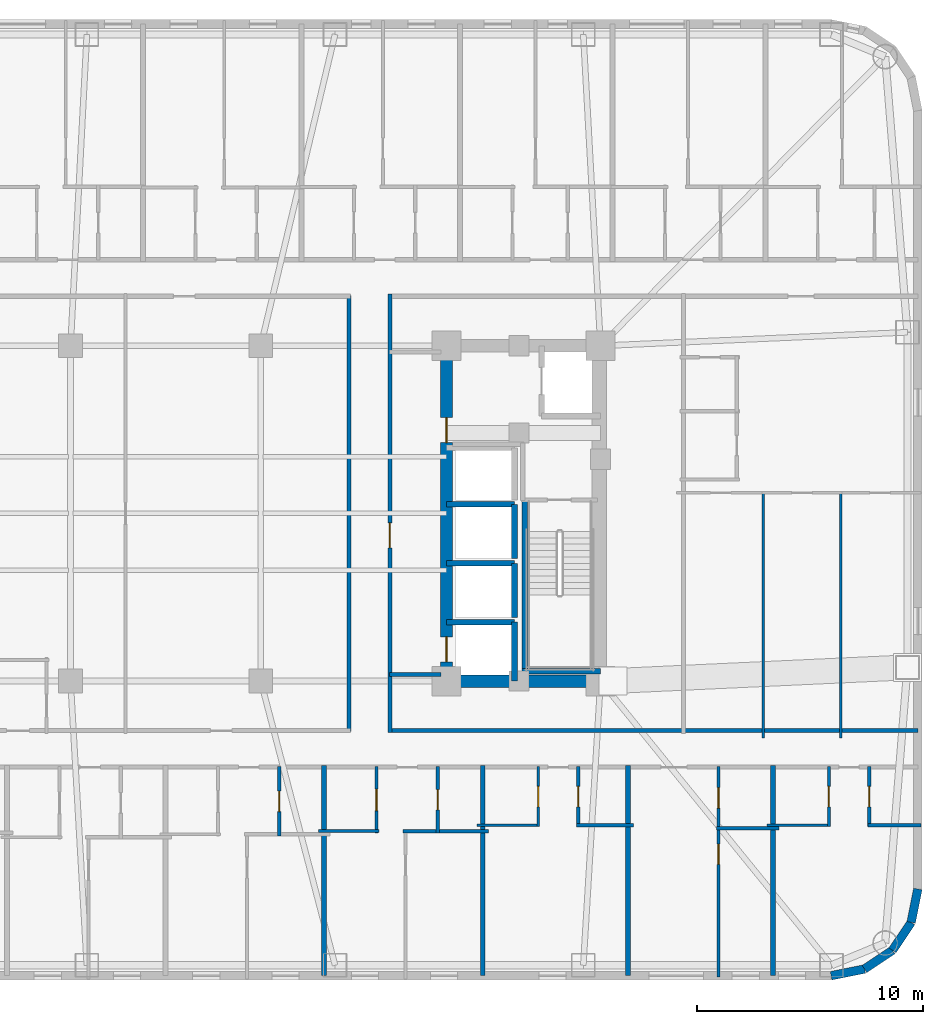
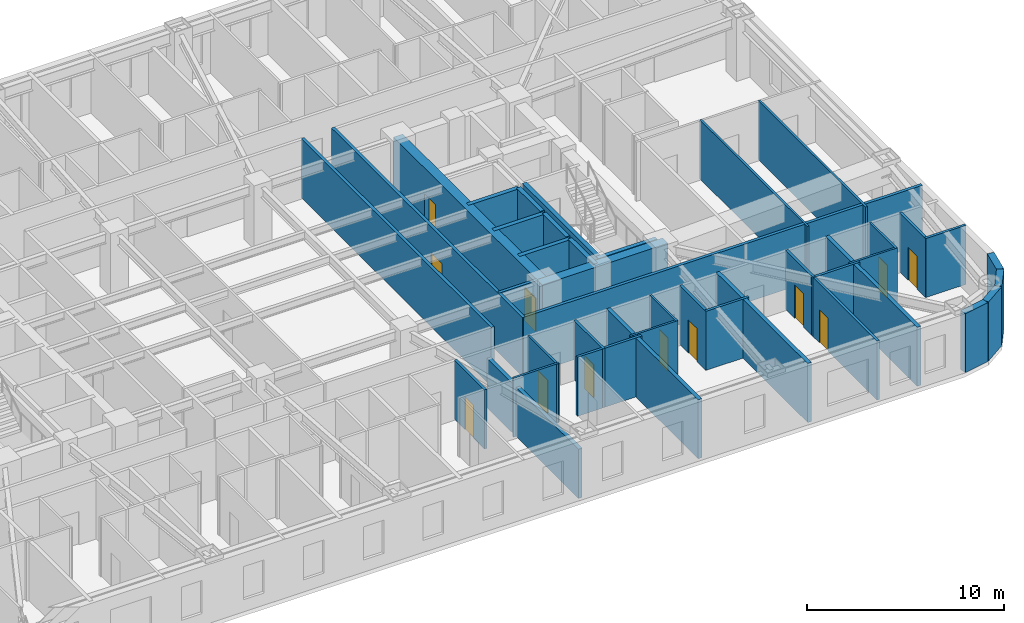
# One storey, part 7 of 13: 40 walls, 12 doors, 12 openings.
"""IFC4 building model written with IfcOpenShell, lengths in metres."""

from ifc_helpers import new_model, si_unit, direction, frame, frame_2d, origin, place, context, subcontext, project, spatial, rectangle, extrude, material, layer, layer_set, type_object, element, fill, save


model = new_model("IFC4")

# Units and contexts
model_context = context("Model", 3, precision=1e-05, world=origin(), true_north=direction((0.0, 1.0)))
body_context = subcontext(model_context, "Body", "Model", "MODEL_VIEW")
ifc_project = project(units=[si_unit("LENGTHUNIT", "METRE"), si_unit("AREAUNIT", "SQUARE_METRE"), si_unit("VOLUMEUNIT", "CUBIC_METRE"), si_unit("PLANEANGLEUNIT", "RADIAN"), si_unit("MASSUNIT", "GRAM", prefix="KILO")], contexts=[model_context])

# Site, building, storey
site_placement = place(None, origin())
site = spatial("IfcSite", under=ifc_project, at=site_placement, CompositionType="ELEMENT")
building_placement = place(site_placement, origin())
building = spatial("IfcBuilding", under=site, at=building_placement, Name="Voryun Gate Residences", CompositionType="ELEMENT")
storey_placement = place(building_placement, frame((0.0, 0.0, 120.89990234375)))
storey = spatial("IfcBuildingStorey", under=building, at=storey_placement, Name="L29", CompositionType="ELEMENT", Elevation=120.89990234375)

# Wall
ifc_material_1 = material(Name="Concrete C60/75", Category="concrete")
ifc_layer_1 = layer(ifc_material_1, 0.550048828125, Name="CW_CORE_550")
ifc_layer_set_1 = layer_set([ifc_layer_1], Name="Concrete C60/75")
wall_type_1 = type_object("IfcWallType", Name="CW_CORE_550", PredefinedType="SHEAR", material=ifc_layer_set_1)
wall_1_placement = place(storey_placement, frame((12.125, -7.39990234375, 0.0), z_axis=(0.0, 0.0, 1.0), x_axis=(1.0, 0.0, 0.0)))
element("IfcWall", 1, at=wall_1_placement, inside=storey, type_object=wall_type_1, Name="L29 Core shear wall CW-L29-ES", PredefinedType="SHEAR", context=body_context, shape_type="SweptSolid", body=[
    extrude(rectangle(XDim=7.35009765625, YDim=0.550048828125, at=frame_2d((3.675048828125, 0.0))), origin(), (0.0, 0.0, 1.0), 3.650146484375),
])

# Wall, openings, doors
wall_2_placement = place(storey_placement, frame((12.39990234375, -7.39990234375, 0.0), z_axis=(0.0, 0.0, 1.0), x_axis=(0.0, 1.0, 0.0)))
wall_2 = element("IfcWall", 2, at=wall_2_placement, inside=storey, type_object=wall_type_1, Name="L29 Core shear wall CW-L29-EW", PredefinedType="SHEAR", context=body_context, shape_type="SweptSolid", body=[
    extrude(rectangle(XDim=14.7998046875, YDim=0.550048828125, at=frame_2d((7.39990234375, 0.0))), origin(), (0.0, 0.0, 1.0), 3.650146484375),
])
opening_1_placement = place(wall_2_placement, frame((0.85009765625, 0.0, 0.0)))
opening_1 = element("IfcOpeningElement", 3, at=opening_1_placement, cuts=wall_2, Name="Opening LD2", PredefinedType="OPENING", context=body_context, shape_type="SweptSolid", body=[
    extrude(rectangle(XDim=1.10009765625, YDim=2.050048828125, at=frame_2d((0.550048828125, 1.02490234375))), frame((0.0, 0.284912109375, 0.0), z_axis=(0.0, -1.0, 0.0), x_axis=(1.0, 0.0, 0.0)), (0.0, 0.0, 1.0), 0.570068359375),
])
opening_2_placement = place(wall_2_placement, frame((10.530029296875, 0.0, 0.0)))
opening_2 = element("IfcOpeningElement", 4, at=opening_2_placement, cuts=wall_2, Name="Opening D-FD60-2", PredefinedType="OPENING", context=body_context, shape_type="SweptSolid", body=[
    extrude(rectangle(XDim=1.10009765625, YDim=2.050048828125, at=frame_2d((0.550048828125, 1.02490234375))), frame((0.0, 0.284912109375, 0.0), z_axis=(0.0, -1.0, 0.0), x_axis=(1.0, 0.0, 0.0)), (0.0, 0.0, 1.0), 0.570068359375),
])
ifc_material_2 = material(Name="Painted steel fire door", Category="steel")
door_type_1 = type_object("IfcDoorType", Name="DR_FD60_FFLOB_1100", OperationType="NOTDEFINED", PredefinedType="DOOR", material=ifc_material_2)
door_1_placement = place(opening_2_placement, origin())
door_1 = element("IfcDoor", 5, at=door_1_placement, inside=storey, type_object=door_type_1, Name="Door DR-L29-CLOB-E", OperationType="SINGLE_SWING_RIGHT", OverallHeight=2.050048828125, OverallWidth=1.10009765625, PredefinedType="DOOR", context=body_context, shape_type="SweptSolid", body=[
    extrude(rectangle(XDim=1.10009765625, YDim=2.050048828125, at=frame_2d((0.550048828125, 1.02490234375))), frame((0.0, 0.02490234375, 0.0), z_axis=(0.0, -1.0, 0.0), x_axis=(1.0, 0.0, 0.0)), (0.0, 0.0, 1.0), 0.050048828125),
])
fill(opening_2, door_1)
ifc_material_3 = material(Name="Anodised aluminium", Category="aluminium")
door_type_2 = type_object("IfcDoorType", Name="DR_LD_PASS_1100", OperationType="NOTDEFINED", PredefinedType="DOOR", material=ifc_material_3)
door_2_placement = place(opening_1_placement, origin())
door_2 = element("IfcDoor", 6, at=door_2_placement, inside=storey, type_object=door_type_2, Name="Lift EL-P3 sliding landing door L29", OperationType="SLIDING_TO_LEFT", OverallHeight=2.050048828125, OverallWidth=1.10009765625, PredefinedType="DOOR", context=body_context, shape_type="SweptSolid", body=[
    extrude(rectangle(XDim=1.10009765625, YDim=2.050048828125, at=frame_2d((0.550048828125, 1.02490234375))), frame((0.0, 0.02490234375, 0.0), z_axis=(0.0, -1.0, 0.0), x_axis=(1.0, 0.0, 0.0)), (0.0, 0.0, 1.0), 0.050048828125),
])
fill(opening_1, door_2)

# Wall
ifc_material_4 = material(Name="Gypsum acoustic fireboard")
ifc_layer_2 = layer(ifc_material_4, 0.179931640625, Name="W_CORR_RATED_180")
ifc_layer_set_2 = layer_set([ifc_layer_2], Name="Gypsum acoustic fireboard")
wall_type_2 = type_object("IfcWallType", Name="W_CORR_RATED_180", PredefinedType="PARTITIONING", material=ifc_layer_set_2)
wall_3_placement = place(storey_placement, frame((9.8798828125, -7.1201171875, 0.0), z_axis=(0.0, 0.0, 1.0), x_axis=(1.0, 0.0, 0.0)))
element("IfcWall", 7, at=wall_3_placement, inside=storey, type_object=wall_type_2, Name="Partition wall WP-L29-PLBS-E", PredefinedType="PARTITIONING", context=body_context, shape_type="SweptSolid", body=[
    extrude(rectangle(XDim=2.27001953125, YDim=0.179931640625, at=frame_2d((1.135009765625, 0.0))), origin(), (0.0, 0.0, 1.0), 3.650146484375),
])

# Wall, opening, door
wall_4_placement = place(storey_placement, frame((9.89990234375, -9.679931640625, 0.0), z_axis=(0.0, 0.0, 1.0), x_axis=(0.0, 1.0, 0.0)))
wall_4 = element("IfcWall", 8, at=wall_4_placement, inside=storey, type_object=wall_type_2, Name="Partition wall WP-L29-PLBE-FULL", PredefinedType="PARTITIONING", context=body_context, shape_type="SweptSolid", body=[
    extrude(rectangle(XDim=19.35986328125, YDim=0.179931640625, at=frame_2d((9.679931640625, 0.0))), origin(), (0.0, 0.0, 1.0), 3.650146484375),
])
opening_3_placement = place(wall_4_placement, frame((8.162109375, 0.0, 0.0)))
opening_3 = element("IfcOpeningElement", 9, at=opening_3_placement, cuts=wall_4, Name="Opening D-FD60-2", PredefinedType="OPENING", context=body_context, shape_type="SweptSolid", body=[
    extrude(rectangle(XDim=1.10009765625, YDim=2.050048828125, at=frame_2d((0.550048828125, 1.02490234375))), frame((0.0, 0.099853515625, 0.0), z_axis=(0.0, -1.0, 0.0), x_axis=(1.0, 0.0, 0.0)), (0.0, 0.0, 1.0), 0.199951171875),
])
door_3_placement = place(opening_3_placement, origin())
door_3 = element("IfcDoor", 10, at=door_3_placement, inside=storey, type_object=door_type_1, Name="Door DR-L29-PLBE-COR", OperationType="SINGLE_SWING_RIGHT", OverallHeight=2.050048828125, OverallWidth=1.10009765625, PredefinedType="DOOR", context=body_context, shape_type="SweptSolid", body=[
    extrude(rectangle(XDim=1.10009765625, YDim=2.050048828125, at=frame_2d((0.550048828125, 1.02490234375))), frame((0.0, 0.02490234375, 0.0), z_axis=(0.0, -1.0, 0.0), x_axis=(1.0, 0.0, 0.0)), (0.0, 0.0, 1.0), 0.050048828125),
])
fill(opening_3, door_3)

# Walls
wall_5_placement = place(storey_placement, frame((9.8798828125, -9.590087890625, 0.0), z_axis=(0.0, 0.0, 1.0), x_axis=(1.0, 0.0, 0.0)))
element("IfcWall", 11, at=wall_5_placement, inside=storey, type_object=wall_type_2, Name="Partition wall WP-L29-CWING-ES", PredefinedType="PARTITIONING", context=body_context, shape_type="SweptSolid", body=[
    extrude(rectangle(XDim=23.330078125, YDim=0.179931640625, at=frame_2d((11.6650390625, 0.0))), origin(), (0.0, 0.0, 1.0), 3.650146484375),
])
wall_6_placement = place(storey_placement, frame((8.10009765625, -9.6298828125, 0.0), z_axis=(0.0, 0.0, 1.0), x_axis=(0.0, 1.0, 0.0)))
element("IfcWall", 12, at=wall_6_placement, inside=storey, type_object=wall_type_2, Name="Partition wall WP-L29-Z1E", PredefinedType="PARTITIONING", context=body_context, shape_type="SweptSolid", body=[
    extrude(rectangle(XDim=19.259765625, YDim=0.179931640625, at=frame_2d((9.6298828125, 0.0))), origin(), (0.0, 0.0, 1.0), 3.650146484375),
])
ifc_material_5 = material(Name="Granite masonry", Category="masonry")
ifc_layer_3 = layer(ifc_material_5, 0.3798828125, Name="W_EXT_GRANITE_380")
ifc_layer_set_3 = layer_set([ifc_layer_3], Name="Granite masonry")
wall_type_3 = type_object("IfcWallType", Name="W_EXT_GRANITE_380", PredefinedType="ELEMENTEDWALL", material=ifc_layer_set_3)
wall_7_placement = place(storey_placement, frame((33.2099609375, -16.581298828125, 0.0), z_axis=(0.0, 0.0, 1.0), x_axis=(-0.195086038585, -0.980786132421, 0.0)))
element("IfcWall", 13, at=wall_7_placement, inside=storey, type_object=wall_type_3, Name="Exterior wall WEXT-L29-17", PredefinedType="ELEMENTEDWALL", context=body_context, shape_type="SweptSolid", body=[
    extrude(rectangle(XDim=1.504150390625, YDim=0.3798828125, at=frame_2d((0.751953125, 0.0))), origin(), (0.0, 0.0, 1.0), 3.650146484375),
])
wall_8_placement = place(storey_placement, frame((32.91650390625, -18.056640625, 0.0), z_axis=(0.0, 0.0, 1.0), x_axis=(-0.555610286119, -0.831442848281, 0.0)))
element("IfcWall", 14, at=wall_8_placement, inside=storey, type_object=wall_type_3, Name="Exterior wall WEXT-L29-18", PredefinedType="ELEMENTEDWALL", context=body_context, shape_type="SweptSolid", body=[
    extrude(rectangle(XDim=1.485107421875, YDim=0.3798828125, at=frame_2d((0.74267578125, 0.0))), origin(), (0.0, 0.0, 1.0), 3.650146484375),
])
wall_9_placement = place(storey_placement, frame((32.09130859375, -19.29150390625, 0.0), z_axis=(0.0, 0.0, 1.0), x_axis=(-0.831468045563, -0.555572577804, 0.0)))
element("IfcWall", 15, at=wall_9_placement, inside=storey, type_object=wall_type_3, Name="Exterior wall WEXT-L29-19", PredefinedType="ELEMENTEDWALL", context=body_context, shape_type="SweptSolid", body=[
    extrude(rectangle(XDim=1.48486328125, YDim=0.3798828125, at=frame_2d((0.742431640625, 0.0))), origin(), (0.0, 0.0, 1.0), 3.650146484375),
])
wall_10_placement = place(storey_placement, frame((30.856689453125, -20.116455078125, 0.0), z_axis=(0.0, 0.0, 1.0), x_axis=(-0.980786132421, -0.195086038585, 0.0)))
element("IfcWall", 16, at=wall_10_placement, inside=storey, type_object=wall_type_3, Name="Exterior wall WEXT-L29-20", PredefinedType="ELEMENTEDWALL", context=body_context, shape_type="SweptSolid", body=[
    extrude(rectangle(XDim=1.504150390625, YDim=0.3798828125, at=frame_2d((0.751953125, 0.0))), origin(), (0.0, 0.0, 1.0), 3.650146484375),
])
ifc_material_6 = material(Name="Concrete C40/50", Category="concrete")
ifc_layer_4 = layer(ifc_material_6, 0.219970703125, Name="W_PARTY_ACOUSTIC_220")
ifc_layer_set_4 = layer_set([ifc_layer_4], Name="Concrete C40/50")
wall_type_4 = type_object("IfcWallType", Name="W_PARTY_ACOUSTIC_220", PredefinedType="PARTITIONING", material=ifc_layer_set_4)
wall_11_placement = place(storey_placement, frame((7.0, -20.409912109375, 0.0), z_axis=(0.0, 0.0, 1.0), x_axis=(0.0, 1.0, 0.0)))
element("IfcWall", 17, at=wall_11_placement, inside=storey, type_object=wall_type_4, Name="Partition wall WP-L29-SPTY-5", PredefinedType="PARTITIONING", context=body_context, shape_type="SweptSolid", body=[
    extrude(rectangle(XDim=9.289794921875, YDim=0.219970703125, at=frame_2d((4.64501953125, 0.0))), origin(), (0.0, 0.0, 1.0), 3.0400390625),
])
for number, where, z_axis, x_axis, name in (
    (18, (14.0, -20.409912109375, 0.0), (0.0, 0.0, 1.0), (0.0, 1.0, 0.0), "Partition wall WP-L29-SPTY-6"),
    (19, (20.406005859375, -20.409912109375, 0.0), (0.0, 0.0, 1.0), (0.0, 1.0, 0.0), "Partition wall WP-L29-SPTY-7"),
    (20, (26.81201171875, -20.409912109375, 0.0), (0.0, 0.0, 1.0), (0.0, 1.0, 0.0), "Partition wall WP-L29-SPTY-8"),
):
    element("IfcWall", number, at=place(storey_placement, frame(where, z_axis=z_axis, x_axis=x_axis)), inside=storey, type_object=wall_type_4, Name=name, PredefinedType="PARTITIONING", context=body_context, shape_type="SweptSolid", body=[
        extrude(rectangle(XDim=9.289794921875, YDim=0.219970703125, at=frame_2d((4.64501953125, 0.0))), origin(), (0.0, 0.0, 1.0), 3.650146484375),
    ])
ifc_material_7 = material(Name="Concrete C50/60", Category="concrete")
ifc_layer_5 = layer(ifc_material_7, 0.25, Name="W_SHAFT_RC250")
ifc_layer_set_5 = layer_set([ifc_layer_5], Name="Concrete C50/60")
wall_type_5 = type_object("IfcWallType", Name="W_SHAFT_RC250", PredefinedType="SOLIDWALL", material=ifc_layer_set_5)
wall_12_placement = place(storey_placement, frame((15.860107421875, -7.0849609375, 0.0), z_axis=(0.0, 0.0, 1.0), x_axis=(0.0, 1.0, 0.0)))
element("IfcWall", 21, at=wall_12_placement, inside=storey, type_object=wall_type_5, Name="L29 Stair shaft structural wall E-STL", PredefinedType="SOLIDWALL", context=body_context, shape_type="SweptSolid", body=[
    extrude(rectangle(XDim=7.68505859375, YDim=0.25, at=frame_2d((3.842529296875, 0.0))), origin(), (0.0, 0.0, 1.0), 3.650146484375),
])
wall_13_placement = place(storey_placement, frame((15.739990234375, -6.965087890625, 0.0), z_axis=(0.0, 0.0, 1.0), x_axis=(1.0, 0.0, 0.0)))
element("IfcWall", 22, at=wall_13_placement, inside=storey, type_object=wall_type_5, Name="L29 Stair shaft structural wall E-STS", PredefinedType="SOLIDWALL", context=body_context, shape_type="SweptSolid", body=[
    extrude(rectangle(XDim=3.4599609375, YDim=0.25, at=frame_2d((1.72998046875, 0.0))), origin(), (0.0, 0.0, 1.0), 3.650146484375),
])
wall_14_placement = place(storey_placement, frame((15.39990234375, -7.39990234375, 0.0), z_axis=(0.0, 0.0, 1.0), x_axis=(0.0, 1.0, 0.0)))
element("IfcWall", 23, at=wall_14_placement, inside=storey, type_object=wall_type_5, Name="Lift shaft wall WSH-L29-EL-P3-E", PredefinedType="SOLIDWALL", context=body_context, shape_type="SweptSolid", body=[
    extrude(rectangle(XDim=2.599853515625, YDim=0.25, at=frame_2d((1.2998046875, 0.0))), origin(), (0.0, 0.0, 1.0), 3.650146484375),
])
wall_15_placement = place(storey_placement, frame((15.39990234375, -4.800048828125, 0.0), z_axis=(0.0, 0.0, 1.0), x_axis=(-1.0, 0.0, 0.0)))
element("IfcWall", 24, at=wall_15_placement, inside=storey, type_object=wall_type_5, Name="Lift shaft wall WSH-L29-EL-P3-N", PredefinedType="SOLIDWALL", context=body_context, shape_type="SweptSolid", body=[
    extrude(rectangle(XDim=3.0, YDim=0.25, at=frame_2d((1.5, 0.0))), origin(), (0.0, 0.0, 1.0), 3.650146484375),
])
wall_16_placement = place(storey_placement, frame((15.39990234375, -4.60009765625, 0.0), z_axis=(0.0, 0.0, 1.0), x_axis=(0.0, 1.0, 0.0)))
element("IfcWall", 25, at=wall_16_placement, inside=storey, type_object=wall_type_5, Name="Lift shaft wall WSH-L29-EL-P5-E", PredefinedType="SOLIDWALL", context=body_context, shape_type="SweptSolid", body=[
    extrude(rectangle(XDim=2.400146484375, YDim=0.25, at=frame_2d((1.2001953125, 0.0))), origin(), (0.0, 0.0, 1.0), 3.650146484375),
])
wall_17_placement = place(storey_placement, frame((15.39990234375, -2.199951171875, 0.0), z_axis=(0.0, 0.0, 1.0), x_axis=(-1.0, 0.0, 0.0)))
element("IfcWall", 26, at=wall_17_placement, inside=storey, type_object=wall_type_5, Name="Lift shaft wall WSH-L29-EL-P5-N", PredefinedType="SOLIDWALL", context=body_context, shape_type="SweptSolid", body=[
    extrude(rectangle(XDim=3.0, YDim=0.25, at=frame_2d((1.5, 0.0))), origin(), (0.0, 0.0, 1.0), 3.650146484375),
])
wall_18_placement = place(storey_placement, frame((15.39990234375, -2.0, 0.0), z_axis=(0.0, 0.0, 1.0), x_axis=(0.0, 1.0, 0.0)))
element("IfcWall", 27, at=wall_18_placement, inside=storey, type_object=wall_type_5, Name="Lift shaft wall WSH-L29-EL-P6-E", PredefinedType="SOLIDWALL", context=body_context, shape_type="SweptSolid", body=[
    extrude(rectangle(XDim=2.39990234375, YDim=0.25, at=frame_2d((1.199951171875, 0.0))), origin(), (0.0, 0.0, 1.0), 3.650146484375),
])
wall_19_placement = place(storey_placement, frame((15.39990234375, 0.39990234375, 0.0), z_axis=(0.0, 0.0, 1.0), x_axis=(-1.0, 0.0, 0.0)))
element("IfcWall", 28, at=wall_19_placement, inside=storey, type_object=wall_type_5, Name="Lift shaft wall WSH-L29-EL-P6-N", PredefinedType="SOLIDWALL", context=body_context, shape_type="SweptSolid", body=[
    extrude(rectangle(XDim=3.0, YDim=0.25, at=frame_2d((1.5, 0.0))), origin(), (0.0, 0.0, 1.0), 3.650146484375),
])

# Wall, opening, door
ifc_material_8 = material(Name="Gypsum acoustic partition")
ifc_layer_6 = layer(ifc_material_8, 0.125, Name="W_UNIT_PART_125")
ifc_layer_set_6 = layer_set([ifc_layer_6], Name="Gypsum acoustic partition")
wall_type_6 = type_object("IfcWallType", Name="W_UNIT_PART_125", PredefinedType="PARTITIONING", material=ifc_layer_set_6)
wall_20_placement = place(storey_placement, frame((9.31005859375, -14.10498046875, 0.0), z_axis=(0.0, 0.0, 1.0), x_axis=(0.0, 1.0, 0.0)))
wall_20 = element("IfcWall", 29, at=wall_20_placement, inside=storey, type_object=wall_type_6, Name="Partition wall WP-L29-S6-IVK", PredefinedType="PARTITIONING", context=body_context, shape_type="SweptSolid", body=[
    extrude(rectangle(XDim=2.925048828125, YDim=0.125, at=frame_2d((1.46240234375, 0.0))), origin(), (0.0, 0.0, 1.0), 3.650146484375),
])
opening_4_placement = place(wall_20_placement, frame((0.987548828125, 0.0, 0.0)))
opening_4 = element("IfcOpeningElement", 30, at=opening_4_placement, cuts=wall_20, Name="Opening D-INT-1", PredefinedType="OPENING", context=body_context, shape_type="SweptSolid", body=[
    extrude(rectangle(XDim=0.949951171875, YDim=2.050048828125, at=frame_2d((0.47509765625, 1.02490234375))), frame((0.0, 0.072509765625, 0.0), z_axis=(0.0, -1.0, 0.0), x_axis=(1.0, 0.0, 0.0)), (0.0, 0.0, 1.0), 0.14501953125),
])
ifc_material_9 = material(Name="Architectural oak veneer")
door_type_3 = type_object("IfcDoorType", Name="DR_INT_ROOM_950", OperationType="NOTDEFINED", PredefinedType="DOOR", material=ifc_material_9)
door_4_placement = place(opening_4_placement, origin())
door_4 = element("IfcDoor", 31, at=door_4_placement, inside=storey, type_object=door_type_3, Name="Door DR-L29-S6-DK", OperationType="SINGLE_SWING_LEFT", OverallHeight=2.050048828125, OverallWidth=0.949951171875, PredefinedType="DOOR", context=body_context, shape_type="SweptSolid", body=[
    extrude(rectangle(XDim=0.949951171875, YDim=2.050048828125, at=frame_2d((0.47509765625, 1.02490234375))), frame((0.0, 0.02490234375, 0.0), z_axis=(0.0, -1.0, 0.0), x_axis=(1.0, 0.0, 0.0)), (0.0, 0.0, 1.0), 0.050048828125),
])
fill(opening_4, door_4)

# Wall
wall_21_placement = place(storey_placement, frame((6.739990234375, -14.02490234375, 0.0), z_axis=(0.0, 0.0, 1.0), x_axis=(1.0, 0.0, 0.0)))
element("IfcWall", 32, at=wall_21_placement, inside=storey, type_object=wall_type_6, Name="Partition wall WP-L29-S6-HZK", PredefinedType="PARTITIONING", context=body_context, shape_type="SweptSolid", body=[
    extrude(rectangle(XDim=2.68994140625, YDim=0.125, at=frame_2d((1.344970703125, 0.0))), origin(), (0.0, 0.0, 1.0), 3.650146484375),
])

# Wall, opening, door
wall_22_placement = place(storey_placement, frame((16.448974609375, -13.830078125, 0.0), z_axis=(0.0, 0.0, 1.0), x_axis=(0.0, 1.0, 0.0)))
wall_22 = element("IfcWall", 33, at=wall_22_placement, inside=storey, type_object=wall_type_6, Name="Partition wall WP-L29-S7-CVK", PredefinedType="PARTITIONING", context=body_context, shape_type="SweptSolid", body=[
    extrude(rectangle(XDim=2.650146484375, YDim=0.125, at=frame_2d((1.3251953125, 0.0))), origin(), (0.0, 0.0, 1.0), 3.650146484375),
])
opening_5_placement = place(wall_22_placement, frame((0.875, 0.0, 0.0)))
opening_5 = element("IfcOpeningElement", 34, at=opening_5_placement, cuts=wall_22, Name="Opening D-INT-2", PredefinedType="OPENING", context=body_context, shape_type="SweptSolid", body=[
    extrude(rectangle(XDim=0.89990234375, YDim=2.050048828125, at=frame_2d((0.449951171875, 1.02490234375))), frame((0.0, 0.072509765625, 0.0), z_axis=(0.0, -1.0, 0.0), x_axis=(1.0, 0.0, 0.0)), (0.0, 0.0, 1.0), 0.14501953125),
])
ifc_material_10 = material(Name="Architectural oak veneer")
door_type_4 = type_object("IfcDoorType", Name="DR_INT_BATH_900", OperationType="NOTDEFINED", PredefinedType="DOOR", material=ifc_material_10)
door_5_placement = place(opening_5_placement, origin())
door_5 = element("IfcDoor", 35, at=door_5_placement, inside=storey, type_object=door_type_4, Name="Door DR-L29-S7-DK", OperationType="SINGLE_SWING_LEFT", OverallHeight=2.050048828125, OverallWidth=0.89990234375, PredefinedType="DOOR", context=body_context, shape_type="SweptSolid", body=[
    extrude(rectangle(XDim=0.89990234375, YDim=2.050048828125, at=frame_2d((0.449951171875, 1.02490234375))), frame((0.0, 0.02490234375, 0.0), z_axis=(0.0, -1.0, 0.0), x_axis=(1.0, 0.0, 0.0)), (0.0, 0.0, 1.0), 0.050048828125),
])
fill(opening_5, door_5)

# Wall
wall_23_placement = place(storey_placement, frame((13.739990234375, -13.77001953125, 0.0), z_axis=(0.0, 0.0, 1.0), x_axis=(1.0, 0.0, 0.0)))
element("IfcWall", 36, at=wall_23_placement, inside=storey, type_object=wall_type_6, Name="Partition wall WP-L29-S7-CHK", PredefinedType="PARTITIONING", context=body_context, shape_type="SweptSolid", body=[
    extrude(rectangle(XDim=2.76904296875, YDim=0.125, at=frame_2d((1.384521484375, 0.0))), origin(), (0.0, 0.0, 1.0), 3.650146484375),
])

# Wall, opening, door
wall_24_placement = place(storey_placement, frame((29.282958984375, -13.830078125, 0.0), z_axis=(0.0, 0.0, 1.0), x_axis=(0.0, 1.0, 0.0)))
wall_24 = element("IfcWall", 37, at=wall_24_placement, inside=storey, type_object=wall_type_6, Name="Partition wall WP-L29-S9-CVK", PredefinedType="PARTITIONING", context=body_context, shape_type="SweptSolid", body=[
    extrude(rectangle(XDim=2.650146484375, YDim=0.125, at=frame_2d((1.3251953125, 0.0))), origin(), (0.0, 0.0, 1.0), 3.650146484375),
])
opening_6_placement = place(wall_24_placement, frame((0.875, 0.0, 0.0)))
opening_6 = element("IfcOpeningElement", 38, at=opening_6_placement, cuts=wall_24, Name="Opening D-INT-2", PredefinedType="OPENING", context=body_context, shape_type="SweptSolid", body=[
    extrude(rectangle(XDim=0.89990234375, YDim=2.050048828125, at=frame_2d((0.449951171875, 1.02490234375))), frame((0.0, 0.072509765625, 0.0), z_axis=(0.0, -1.0, 0.0), x_axis=(1.0, 0.0, 0.0)), (0.0, 0.0, 1.0), 0.14501953125),
])
door_6_placement = place(opening_6_placement, origin())
door_6 = element("IfcDoor", 39, at=door_6_placement, inside=storey, type_object=door_type_4, Name="Door DR-L29-S9-DK", OperationType="SINGLE_SWING_LEFT", OverallHeight=2.050048828125, OverallWidth=0.89990234375, PredefinedType="DOOR", context=body_context, shape_type="SweptSolid", body=[
    extrude(rectangle(XDim=0.89990234375, YDim=2.050048828125, at=frame_2d((0.449951171875, 1.02490234375))), frame((0.0, 0.02490234375, 0.0), z_axis=(0.0, -1.0, 0.0), x_axis=(1.0, 0.0, 0.0)), (0.0, 0.0, 1.0), 0.050048828125),
])
fill(opening_6, door_6)

# Walls
wall_25_placement = place(storey_placement, frame((26.552001953125, -13.77001953125, 0.0), z_axis=(0.0, 0.0, 1.0), x_axis=(1.0, 0.0, 0.0)))
element("IfcWall", 40, at=wall_25_placement, inside=storey, type_object=wall_type_6, Name="Partition wall WP-L29-S9-CHK", PredefinedType="PARTITIONING", context=body_context, shape_type="SweptSolid", body=[
    extrude(rectangle(XDim=2.791015625, YDim=0.125, at=frame_2d((1.3955078125, 0.0))), origin(), (0.0, 0.0, 1.0), 3.650146484375),
])
for number, where, z_axis, x_axis, name in (
    (41, (29.802978515625, -9.909912109375, 0.0), (0.0, 0.0, 1.0), (0.0, 1.0, 0.0), "Partition wall WP-L29-E1-VMB2"),
    (42, (26.387939453125, -9.909912109375, 0.0), (0.0, 0.0, 1.0), (0.0, 1.0, 0.0), "Partition wall WP-L29-E1-VMB"),
):
    element("IfcWall", number, at=place(storey_placement, frame(where, z_axis=z_axis, x_axis=x_axis)), inside=storey, type_object=wall_type_6, Name=name, PredefinedType="PARTITIONING", context=body_context, shape_type="SweptSolid", body=[
        extrude(rectangle(XDim=10.8798828125, YDim=0.125, at=frame_2d((5.43994140625, 0.0))), origin(), (0.0, 0.0, 1.0), 3.650146484375),
    ])

# Wall, opening, door
ifc_material_11 = material(Name="Gypsum moisture-resistant partition")
ifc_layer_7 = layer(ifc_material_11, 0.14990234375, Name="W_WET_PLUMB_150")
ifc_layer_set_7 = layer_set([ifc_layer_7], Name="Gypsum moisture-resistant partition")
wall_type_7 = type_object("IfcWallType", Name="W_WET_PLUMB_150", PredefinedType="PLUMBINGWALL", material=ifc_layer_set_7)
wall_26_placement = place(storey_placement, frame((5.02001953125, -14.242919921875, 0.0), z_axis=(0.0, 0.0, 1.0), x_axis=(0.0, 1.0, 0.0)))
wall_26 = element("IfcWall", 43, at=wall_26_placement, inside=storey, type_object=wall_type_7, Name="Partition wall WP-L29-S5-IVB", PredefinedType="PLUMBINGWALL", context=body_context, shape_type="SweptSolid", body=[
    extrude(rectangle(XDim=3.06298828125, YDim=0.14990234375, at=frame_2d((1.531494140625, 0.0))), origin(), (0.0, 0.0, 1.0), 3.650146484375),
])
opening_7_placement = place(wall_26_placement, frame((1.08154296875, 0.0, 0.0)))
opening_7 = element("IfcOpeningElement", 44, at=opening_7_placement, cuts=wall_26, Name="Opening D-INT-2", PredefinedType="OPENING", context=body_context, shape_type="SweptSolid", body=[
    extrude(rectangle(XDim=0.89990234375, YDim=2.050048828125, at=frame_2d((0.449951171875, 1.02490234375))), frame((0.0, 0.0849609375, 0.0), z_axis=(0.0, -1.0, 0.0), x_axis=(1.0, 0.0, 0.0)), (0.0, 0.0, 1.0), 0.169921875),
])
door_7_placement = place(opening_7_placement, origin())
door_7 = element("IfcDoor", 45, at=door_7_placement, inside=storey, type_object=door_type_4, Name="Door DR-L29-S5-DB", OperationType="SINGLE_SWING_RIGHT", OverallHeight=2.050048828125, OverallWidth=0.89990234375, PredefinedType="DOOR", context=body_context, shape_type="SweptSolid", body=[
    extrude(rectangle(XDim=0.89990234375, YDim=2.050048828125, at=frame_2d((0.449951171875, 1.02490234375))), frame((0.0, 0.02490234375, 0.0), z_axis=(0.0, -1.0, 0.0), x_axis=(1.0, 0.0, 0.0)), (0.0, 0.0, 1.0), 0.050048828125),
])
fill(opening_7, door_7)

# Wall
wall_27_placement = place(storey_placement, frame((10.469970703125, -14.02490234375, 0.0), z_axis=(0.0, 0.0, 1.0), x_axis=(1.0, 0.0, 0.0)))
element("IfcWall", 46, at=wall_27_placement, inside=storey, type_object=wall_type_7, Name="Partition wall WP-L29-S6-HZB", PredefinedType="PLUMBINGWALL", context=body_context, shape_type="SweptSolid", body=[
    extrude(rectangle(XDim=3.7900390625, YDim=0.14990234375, at=frame_2d((1.89501953125, 0.0))), origin(), (0.0, 0.0, 1.0), 3.650146484375),
])

# Wall, opening, door
wall_28_placement = place(storey_placement, frame((12.02001953125, -14.10498046875, 0.0), z_axis=(0.0, 0.0, 1.0), x_axis=(0.0, 1.0, 0.0)))
wall_28 = element("IfcWall", 47, at=wall_28_placement, inside=storey, type_object=wall_type_7, Name="Partition wall WP-L29-S6-IVB", PredefinedType="PLUMBINGWALL", context=body_context, shape_type="SweptSolid", body=[
    extrude(rectangle(XDim=2.925048828125, YDim=0.14990234375, at=frame_2d((1.46240234375, 0.0))), origin(), (0.0, 0.0, 1.0), 3.650146484375),
])
opening_8_placement = place(wall_28_placement, frame((1.012451171875, 0.0, 0.0)))
opening_8 = element("IfcOpeningElement", 48, at=opening_8_placement, cuts=wall_28, Name="Opening D-INT-2", PredefinedType="OPENING", context=body_context, shape_type="SweptSolid", body=[
    extrude(rectangle(XDim=0.89990234375, YDim=2.050048828125, at=frame_2d((0.449951171875, 1.02490234375))), frame((0.0, 0.0849609375, 0.0), z_axis=(0.0, -1.0, 0.0), x_axis=(1.0, 0.0, 0.0)), (0.0, 0.0, 1.0), 0.169921875),
])
door_8_placement = place(opening_8_placement, origin())
door_8 = element("IfcDoor", 49, at=door_8_placement, inside=storey, type_object=door_type_4, Name="Door DR-L29-S6-DB", OperationType="SINGLE_SWING_RIGHT", OverallHeight=2.050048828125, OverallWidth=0.89990234375, PredefinedType="DOOR", context=body_context, shape_type="SweptSolid", body=[
    extrude(rectangle(XDim=0.89990234375, YDim=2.050048828125, at=frame_2d((0.449951171875, 1.02490234375))), frame((0.0, 0.02490234375, 0.0), z_axis=(0.0, -1.0, 0.0), x_axis=(1.0, 0.0, 0.0)), (0.0, 0.0, 1.0), 0.050048828125),
])
fill(opening_8, door_8)

wall_29_placement = place(storey_placement, frame((18.208984375, -13.830078125, 0.0), z_axis=(0.0, 0.0, 1.0), x_axis=(0.0, 1.0, 0.0)))
wall_29 = element("IfcWall", 50, at=wall_29_placement, inside=storey, type_object=wall_type_7, Name="Partition wall WP-L29-S7-CVB", PredefinedType="PLUMBINGWALL", context=body_context, shape_type="SweptSolid", body=[
    extrude(rectangle(XDim=2.650146484375, YDim=0.14990234375, at=frame_2d((1.3251953125, 0.0))), origin(), (0.0, 0.0, 1.0), 3.650146484375),
])
opening_9_placement = place(wall_29_placement, frame((0.875, 0.0, 0.0)))
opening_9 = element("IfcOpeningElement", 51, at=opening_9_placement, cuts=wall_29, Name="Opening D-INT-2", PredefinedType="OPENING", context=body_context, shape_type="SweptSolid", body=[
    extrude(rectangle(XDim=0.89990234375, YDim=2.050048828125, at=frame_2d((0.449951171875, 1.02490234375))), frame((0.0, 0.0849609375, 0.0), z_axis=(0.0, -1.0, 0.0), x_axis=(1.0, 0.0, 0.0)), (0.0, 0.0, 1.0), 0.169921875),
])
door_9_placement = place(opening_9_placement, origin())
door_9 = element("IfcDoor", 52, at=door_9_placement, inside=storey, type_object=door_type_4, Name="Door DR-L29-S7-DB", OperationType="SINGLE_SWING_RIGHT", OverallHeight=2.050048828125, OverallWidth=0.89990234375, PredefinedType="DOOR", context=body_context, shape_type="SweptSolid", body=[
    extrude(rectangle(XDim=0.89990234375, YDim=2.050048828125, at=frame_2d((0.449951171875, 1.02490234375))), frame((0.0, 0.02490234375, 0.0), z_axis=(0.0, -1.0, 0.0), x_axis=(1.0, 0.0, 0.0)), (0.0, 0.0, 1.0), 0.050048828125),
])
fill(opening_9, door_9)

# Walls
wall_30_placement = place(storey_placement, frame((18.14892578125, -13.77001953125, 0.0), z_axis=(0.0, 0.0, 1.0), x_axis=(1.0, 0.0, 0.0)))
element("IfcWall", 53, at=wall_30_placement, inside=storey, type_object=wall_type_7, Name="Partition wall WP-L29-S7-CHB", PredefinedType="PLUMBINGWALL", context=body_context, shape_type="SweptSolid", body=[
    extrude(rectangle(XDim=2.51708984375, YDim=0.14990234375, at=frame_2d((1.258544921875, 0.0))), origin(), (0.0, 0.0, 1.0), 3.650146484375),
])
wall_31_placement = place(storey_placement, frame((24.326904296875, -13.89990234375, 0.0), z_axis=(0.0, 0.0, 1.0), x_axis=(1.0, 0.0, 0.0)))
element("IfcWall", 54, at=wall_31_placement, inside=storey, type_object=wall_type_7, Name="Partition wall WP-L29-S8-SKB", PredefinedType="PLUMBINGWALL", context=body_context, shape_type="SweptSolid", body=[
    extrude(rectangle(XDim=2.7451171875, YDim=0.14990234375, at=frame_2d((1.37255859375, 0.0))), origin(), (0.0, 0.0, 1.0), 3.650146484375),
])

# Wall, opening, door
wall_32_placement = place(storey_placement, frame((24.406982421875, -20.45751953125, 0.0), z_axis=(0.0, 0.0, 1.0), x_axis=(0.0, 1.0, 0.0)))
wall_32 = element("IfcWall", 55, at=wall_32_placement, inside=storey, type_object=wall_type_7, Name="Partition wall WP-L29-S8-SVT1", PredefinedType="PLUMBINGWALL", context=body_context, shape_type="SweptSolid", body=[
    extrude(rectangle(XDim=6.597412109375, YDim=0.14990234375, at=frame_2d((3.298828125, 0.0))), origin(), (0.0, 0.0, 1.0), 3.650146484375),
])
opening_10_placement = place(wall_32_placement, frame((4.9599609375, 0.0, 0.0)))
opening_10 = element("IfcOpeningElement", 56, at=opening_10_placement, cuts=wall_32, Name="Opening D-INT-2", PredefinedType="OPENING", context=body_context, shape_type="SweptSolid", body=[
    extrude(rectangle(XDim=0.89990234375, YDim=2.050048828125, at=frame_2d((0.449951171875, 1.02490234375))), frame((0.0, 0.0849609375, 0.0), z_axis=(0.0, -1.0, 0.0), x_axis=(1.0, 0.0, 0.0)), (0.0, 0.0, 1.0), 0.169921875),
])
door_10_placement = place(opening_10_placement, origin())
door_10 = element("IfcDoor", 57, at=door_10_placement, inside=storey, type_object=door_type_4, Name="Door DR-L29-S8-DK", OperationType="SINGLE_SWING_LEFT", OverallHeight=2.050048828125, OverallWidth=0.89990234375, PredefinedType="DOOR", context=body_context, shape_type="SweptSolid", body=[
    extrude(rectangle(XDim=0.89990234375, YDim=2.050048828125, at=frame_2d((0.449951171875, 1.02490234375))), frame((0.0, 0.02490234375, 0.0), z_axis=(0.0, -1.0, 0.0), x_axis=(1.0, 0.0, 0.0)), (0.0, 0.0, 1.0), 0.050048828125),
])
fill(opening_10, door_10)

wall_33_placement = place(storey_placement, frame((24.406982421875, -13.93994140625, 0.0), z_axis=(0.0, 0.0, 1.0), x_axis=(0.0, 1.0, 0.0)))
wall_33 = element("IfcWall", 58, at=wall_33_placement, inside=storey, type_object=wall_type_7, Name="Partition wall WP-L29-S8-SVT2", PredefinedType="PLUMBINGWALL", context=body_context, shape_type="SweptSolid", body=[
    extrude(rectangle(XDim=2.760009765625, YDim=0.14990234375, at=frame_2d((1.3798828125, 0.0))), origin(), (0.0, 0.0, 1.0), 3.650146484375),
])
opening_11_placement = place(wall_33_placement, frame((0.929931640625, 0.0, 0.0)))
opening_11 = element("IfcOpeningElement", 59, at=opening_11_placement, cuts=wall_33, Name="Opening D-INT-2", PredefinedType="OPENING", context=body_context, shape_type="SweptSolid", body=[
    extrude(rectangle(XDim=0.89990234375, YDim=2.050048828125, at=frame_2d((0.449951171875, 1.02490234375))), frame((0.0, 0.0849609375, 0.0), z_axis=(0.0, -1.0, 0.0), x_axis=(1.0, 0.0, 0.0)), (0.0, 0.0, 1.0), 0.169921875),
])
door_11_placement = place(opening_11_placement, origin())
door_11 = element("IfcDoor", 60, at=door_11_placement, inside=storey, type_object=door_type_4, Name="Door DR-L29-S8-DB", OperationType="SINGLE_SWING_RIGHT", OverallHeight=2.050048828125, OverallWidth=0.89990234375, PredefinedType="DOOR", context=body_context, shape_type="SweptSolid", body=[
    extrude(rectangle(XDim=0.89990234375, YDim=2.050048828125, at=frame_2d((0.449951171875, 1.02490234375))), frame((0.0, 0.02490234375, 0.0), z_axis=(0.0, -1.0, 0.0), x_axis=(1.0, 0.0, 0.0)), (0.0, 0.0, 1.0), 0.050048828125),
])
fill(opening_11, door_11)

wall_34_placement = place(storey_placement, frame((31.06005859375, -13.830078125, 0.0), z_axis=(0.0, 0.0, 1.0), x_axis=(0.0, 1.0, 0.0)))
wall_34 = element("IfcWall", 61, at=wall_34_placement, inside=storey, type_object=wall_type_7, Name="Partition wall WP-L29-S9-CVB", PredefinedType="PLUMBINGWALL", context=body_context, shape_type="SweptSolid", body=[
    extrude(rectangle(XDim=2.650146484375, YDim=0.14990234375, at=frame_2d((1.3251953125, 0.0))), origin(), (0.0, 0.0, 1.0), 3.650146484375),
])
opening_12_placement = place(wall_34_placement, frame((0.875, 0.0, 0.0)))
opening_12 = element("IfcOpeningElement", 62, at=opening_12_placement, cuts=wall_34, Name="Opening D-INT-2", PredefinedType="OPENING", context=body_context, shape_type="SweptSolid", body=[
    extrude(rectangle(XDim=0.89990234375, YDim=2.050048828125, at=frame_2d((0.449951171875, 1.02490234375))), frame((0.0, 0.0849609375, 0.0), z_axis=(0.0, -1.0, 0.0), x_axis=(1.0, 0.0, 0.0)), (0.0, 0.0, 1.0), 0.169921875),
])
door_12_placement = place(opening_12_placement, origin())
door_12 = element("IfcDoor", 63, at=door_12_placement, inside=storey, type_object=door_type_4, Name="Door DR-L29-S9-DB", OperationType="SINGLE_SWING_RIGHT", OverallHeight=2.050048828125, OverallWidth=0.89990234375, PredefinedType="DOOR", context=body_context, shape_type="SweptSolid", body=[
    extrude(rectangle(XDim=0.89990234375, YDim=2.050048828125, at=frame_2d((0.449951171875, 1.02490234375))), frame((0.0, 0.02490234375, 0.0), z_axis=(0.0, -1.0, 0.0), x_axis=(1.0, 0.0, 0.0)), (0.0, 0.0, 1.0), 0.050048828125),
])
fill(opening_12, door_12)

# Wall
wall_35_placement = place(storey_placement, frame((31.0, -13.77001953125, 0.0), z_axis=(0.0, 0.0, 1.0), x_axis=(1.0, 0.0, 0.0)))
element("IfcWall", 64, at=wall_35_placement, inside=storey, type_object=wall_type_7, Name="Partition wall WP-L29-S9-CHB", PredefinedType="PLUMBINGWALL", context=body_context, shape_type="SweptSolid", body=[
    extrude(rectangle(XDim=2.360107421875, YDim=0.14990234375, at=frame_2d((1.18017578125, 0.0))), origin(), (0.0, 0.0, 1.0), 3.650146484375),
])

save(model, "model.ifc")
